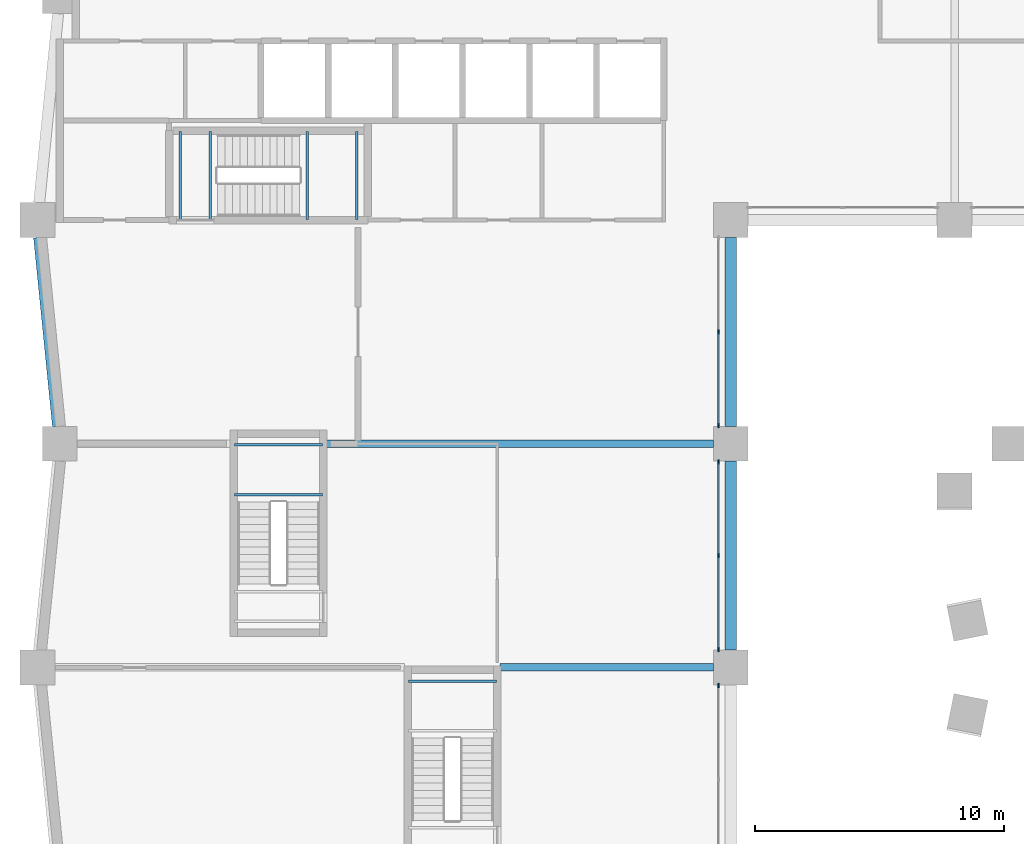
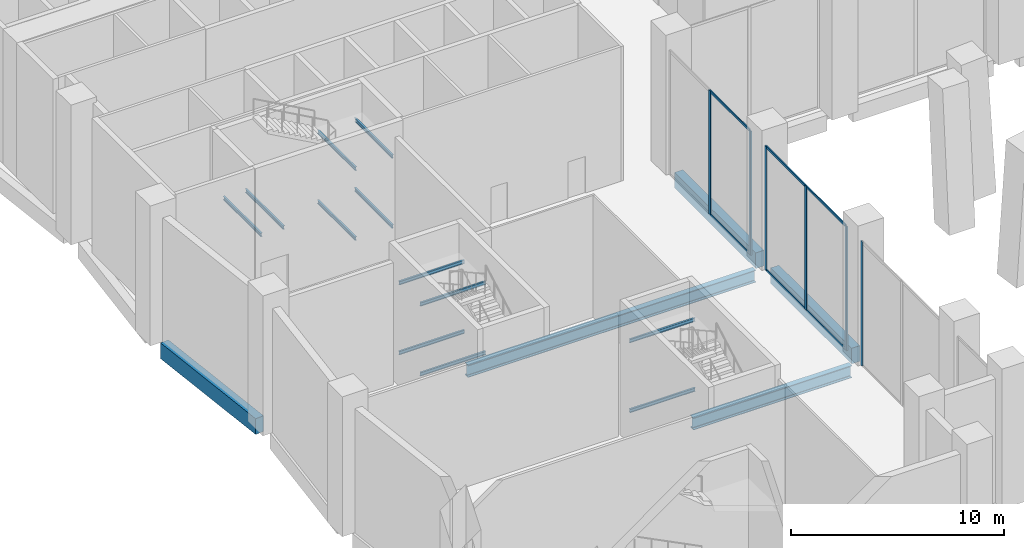
# One storey, part 3 of 19: 17 beams, 12 members, 3 elements without a shape of their own.
"""IFC4 building model written with IfcOpenShell, lengths in metres."""

from ifc_helpers import new_model, si_unit, direction, frame, origin, origin_2d, place, context, subcontext, project, spatial, rectangle, i_section, extrude, material, material_profile, profile_set, type_object, element, aggregate, save


model = new_model("IFC4")

# Units and contexts
model_context = context("Model", 3, precision=1e-05, world=origin(), true_north=direction((0.0, 1.0)))
body_context = subcontext(model_context, "Body", "Model", "MODEL_VIEW")
ifc_project = project(units=[si_unit("LENGTHUNIT", "METRE"), si_unit("AREAUNIT", "SQUARE_METRE"), si_unit("VOLUMEUNIT", "CUBIC_METRE"), si_unit("PLANEANGLEUNIT", "RADIAN"), si_unit("MASSUNIT", "GRAM", prefix="KILO")], contexts=[model_context])

# Site, building, storey
site_placement = place(None, origin())
site = spatial("IfcSite", under=ifc_project, at=site_placement, CompositionType="ELEMENT")
building_placement = place(site_placement, origin())
building = spatial("IfcBuilding", under=site, at=building_placement, Name="Brondeck Convention Tower", CompositionType="ELEMENT")
storey_placement = place(building_placement, frame((0.0, 0.0, 19.5)))
storey = spatial("IfcBuildingStorey", under=building, at=storey_placement, Name="L03", CompositionType="ELEMENT", Elevation=19.5)

# Curtain wall, member
ifc_material_1 = material(Name="Aluminium, bronze anodised", Category="aluminium")
curtain_wall_type = type_object("IfcCurtainWallType", Name="Podium hall curtain wall", PredefinedType="NOTDEFINED", material=ifc_material_1)
curtain_wall_1_placement = place(storey_placement, origin())
curtain_wall_1 = element("IfcCurtainWall", 1, at=curtain_wall_1_placement, inside=storey, type_object=curtain_wall_type, Name="ENV-CW2-L03-B-E-05", PredefinedType="NOTDEFINED")
ifc_material_profile_1 = material_profile(ifc_material_1, rectangle(XDim=0.06005859375, YDim=0.179931640625, at=origin_2d()), Name="CW2 mullion")
ifc_profile_set_1 = profile_set([ifc_material_profile_1], Name="Aluminium, bronze anodised")
member_type_1 = type_object("IfcMemberType", Name="CW2 mullion", PredefinedType="MULLION", material=ifc_profile_set_1)
member_1_placement = place(storey_placement, frame((26.5, 17.27001953125, 0.0), z_axis=(0.0, 0.0, 1.0), x_axis=(1.0, 0.0, 0.0)))
member_1 = element("IfcMember", 2, at=member_1_placement, type_object=member_type_1, Name="CW2 mullion 1", PredefinedType="MULLION", context=body_context, shape_type="SweptSolid", body=[
    extrude(rectangle(XDim=0.06005859375, YDim=0.179931640625, at=origin_2d()), origin(), (0.0, 0.0, 1.0), 7.10009765625),
])
aggregate(curtain_wall_1, [member_1])

# Curtain wall, members
curtain_wall_2_placement = place(storey_placement, origin())
curtain_wall_2 = element("IfcCurtainWall", 3, at=curtain_wall_2_placement, inside=storey, type_object=curtain_wall_type, Name="ENV-CW2-L03-B-E-03", PredefinedType="NOTDEFINED")
member_2_placement = place(storey_placement, frame((26.5, 26.27001953125, 0.0), z_axis=(0.0, 0.0, 1.0), x_axis=(1.0, 0.0, 0.0)))
member_2 = element("IfcMember", 4, at=member_2_placement, type_object=member_type_1, Name="CW2 mullion 1", PredefinedType="MULLION", context=body_context, shape_type="SweptSolid", body=[
    extrude(rectangle(XDim=0.06005859375, YDim=0.179931640625, at=origin_2d()), origin(), (0.0, 0.0, 1.0), 7.10009765625),
])
member_3_placement = place(storey_placement, frame((26.5, 22.5, 0.0), z_axis=(0.0, 0.0, 1.0), x_axis=(1.0, 0.0, 0.0)))
member_3 = element("IfcMember", 5, at=member_3_placement, type_object=member_type_1, Name="CW2 mullion 2", PredefinedType="MULLION", context=body_context, shape_type="SweptSolid", body=[
    extrude(rectangle(XDim=0.06005859375, YDim=0.179931640625, at=origin_2d()), origin(), (0.0, 0.0, 1.0), 7.10009765625),
])
member_4_placement = place(storey_placement, frame((26.5, 18.72998046875, 0.0), z_axis=(0.0, 0.0, 1.0), x_axis=(1.0, 0.0, 0.0)))
member_4 = element("IfcMember", 6, at=member_4_placement, type_object=member_type_1, Name="CW2 mullion 3", PredefinedType="MULLION", context=body_context, shape_type="SweptSolid", body=[
    extrude(rectangle(XDim=0.06005859375, YDim=0.179931640625, at=origin_2d()), origin(), (0.0, 0.0, 1.0), 7.10009765625),
])

curtain_wall_3_placement = place(storey_placement, origin())
curtain_wall_3 = element("IfcCurtainWall", 7, at=curtain_wall_3_placement, inside=storey, type_object=curtain_wall_type, Name="ENV-CW2-L03-B-E-01", PredefinedType="NOTDEFINED")
member_5_placement = place(storey_placement, frame((26.5, 31.5, 0.0), z_axis=(0.0, 0.0, 1.0), x_axis=(1.0, 0.0, 0.0)))
member_5 = element("IfcMember", 8, at=member_5_placement, type_object=member_type_1, Name="CW2 mullion 2", PredefinedType="MULLION", context=body_context, shape_type="SweptSolid", body=[
    extrude(rectangle(XDim=0.06005859375, YDim=0.179931640625, at=origin_2d()), origin(), (0.0, 0.0, 1.0), 7.10009765625),
])
member_6_placement = place(storey_placement, frame((26.5, 27.72998046875, 0.0), z_axis=(0.0, 0.0, 1.0), x_axis=(1.0, 0.0, 0.0)))
member_6 = element("IfcMember", 9, at=member_6_placement, type_object=member_type_1, Name="CW2 mullion 3", PredefinedType="MULLION", context=body_context, shape_type="SweptSolid", body=[
    extrude(rectangle(XDim=0.06005859375, YDim=0.179931640625, at=origin_2d()), origin(), (0.0, 0.0, 1.0), 7.10009765625),
])

# Member
ifc_material_profile_2 = material_profile(ifc_material_1, rectangle(XDim=0.06005859375, YDim=0.139892578125, at=origin_2d()), Name="CW2 transom")
ifc_profile_set_2 = profile_set([ifc_material_profile_2], Name="Aluminium, bronze anodised")
member_type_2 = type_object("IfcMemberType", Name="CW2 transom", PredefinedType="USERDEFINED", material=ifc_profile_set_2)
member_7_placement = place(storey_placement, frame((26.5, 26.239990234375, 0.030029296875), z_axis=(0.0, -1.0, 0.0), x_axis=(1.0, 0.0, 0.0)))
member_7 = element("IfcMember", 10, at=member_7_placement, type_object=member_type_2, Name="CW2 transom 1.1", ObjectType="TRANSOM", PredefinedType="USERDEFINED", context=body_context, shape_type="SweptSolid", body=[
    extrude(rectangle(XDim=0.06005859375, YDim=0.139892578125, at=origin_2d()), origin(), (0.0, 0.0, 1.0), 3.7099609375),
])

member_8_placement = place(storey_placement, frame((26.5, 26.239990234375, 7.070068359375), z_axis=(0.0, -1.0, 0.0), x_axis=(1.0, 0.0, 0.0)))
member_8 = element("IfcMember", 11, at=member_8_placement, type_object=member_type_2, Name="CW2 transom 1.2", ObjectType="TRANSOM", PredefinedType="USERDEFINED", context=body_context, shape_type="SweptSolid", body=[
    extrude(rectangle(XDim=0.06005859375, YDim=0.139892578125, at=origin_2d()), origin(), (0.0, 0.0, 1.0), 3.7099609375),
])

member_9_placement = place(storey_placement, frame((26.5, 22.469970703125, 0.030029296875), z_axis=(0.0, -1.0, 0.0), x_axis=(1.0, 0.0, 0.0)))
member_9 = element("IfcMember", 12, at=member_9_placement, type_object=member_type_2, Name="CW2 transom 2.1", ObjectType="TRANSOM", PredefinedType="USERDEFINED", context=body_context, shape_type="SweptSolid", body=[
    extrude(rectangle(XDim=0.06005859375, YDim=0.139892578125, at=origin_2d()), origin(), (0.0, 0.0, 1.0), 3.7099609375),
])

member_10_placement = place(storey_placement, frame((26.5, 22.469970703125, 7.070068359375), z_axis=(0.0, -1.0, 0.0), x_axis=(1.0, 0.0, 0.0)))
member_10 = element("IfcMember", 13, at=member_10_placement, type_object=member_type_2, Name="CW2 transom 2.2", ObjectType="TRANSOM", PredefinedType="USERDEFINED", context=body_context, shape_type="SweptSolid", body=[
    extrude(rectangle(XDim=0.06005859375, YDim=0.139892578125, at=origin_2d()), origin(), (0.0, 0.0, 1.0), 3.7099609375),
])

aggregate(curtain_wall_2, [member_2, member_3, member_4, member_7, member_8, member_9, member_10])

member_11_placement = place(storey_placement, frame((26.5, 31.469970703125, 0.030029296875), z_axis=(0.0, -1.0, 0.0), x_axis=(1.0, 0.0, 0.0)))
member_11 = element("IfcMember", 14, at=member_11_placement, type_object=member_type_2, Name="CW2 transom 2.1", ObjectType="TRANSOM", PredefinedType="USERDEFINED", context=body_context, shape_type="SweptSolid", body=[
    extrude(rectangle(XDim=0.06005859375, YDim=0.139892578125, at=origin_2d()), origin(), (0.0, 0.0, 1.0), 3.7099609375),
])

member_12_placement = place(storey_placement, frame((26.5, 31.469970703125, 7.070068359375), z_axis=(0.0, -1.0, 0.0), x_axis=(1.0, 0.0, 0.0)))
member_12 = element("IfcMember", 15, at=member_12_placement, type_object=member_type_2, Name="CW2 transom 2.2", ObjectType="TRANSOM", PredefinedType="USERDEFINED", context=body_context, shape_type="SweptSolid", body=[
    extrude(rectangle(XDim=0.06005859375, YDim=0.139892578125, at=origin_2d()), origin(), (0.0, 0.0, 1.0), 3.7099609375),
])

aggregate(curtain_wall_3, [member_5, member_6, member_11, member_12])

# Beams
ifc_material_2 = material(Name="Concrete C80/95", Category="concrete")
ifc_material_profile_3 = material_profile(ifc_material_2, rectangle(XDim=0.449951171875, YDim=0.89990234375, at=origin_2d()), Name="Edge beam 450x900 Concrete C80/95")
ifc_profile_set_3 = profile_set([ifc_material_profile_3], Name="Concrete C80/95")
beam_type_1 = type_object("IfcBeamType", Name="Edge beam 450x900 Concrete C80/95", PredefinedType="BEAM", material=ifc_profile_set_3)
for number, where, z_axis, x_axis, name in (
    (16, (27.0, 18.699951171875, -0.449951171875), (0.0, 1.0, 0.0), (-1.0, 0.0, 0.0), "STR-SP-L03-007"),
    (17, (27.0, 27.699951171875, -0.449951171875), (0.0, 1.0, 0.0), (-1.0, 0.0, 0.0), "STR-SP-L03-008"),
):
    element("IfcBeam", number, at=place(storey_placement, frame(where, z_axis=z_axis, x_axis=x_axis)), inside=storey, type_object=beam_type_1, Name=name, PredefinedType="BEAM", context=body_context, shape_type="SweptSolid", body=[
        extrude(rectangle(XDim=0.449951171875, YDim=0.89990234375, at=origin_2d()), origin(), (0.0, 0.0, 1.0), 7.60009765625),
    ])
beam_1_placement = place(storey_placement, frame((-0.830078125, 35.300048828125, -0.449951171875), z_axis=(0.099503719021, -0.99503719021, 0.0), x_axis=(0.99503719021, 0.099503719021, 0.0)))
element("IfcBeam", 18, at=beam_1_placement, inside=storey, type_object=beam_type_1, Name="STR-SP-L03-033", PredefinedType="BEAM", context=body_context, shape_type="SweptSolid", body=[
    extrude(rectangle(XDim=0.449951171875, YDim=0.89990234375, at=origin_2d()), origin(), (0.0, 0.0, 1.0), 7.637939453125),
])
ifc_material_3 = material(Name="Steel S355", Category="steel")
ifc_material_profile_4 = material_profile(ifc_material_3, i_section(OverallWidth=0.300048828125, OverallDepth=0.699951171875, WebThickness=0.01708984375, FlangeThickness=0.031982421875, FilletRadius=0.027099609375, at=origin_2d()), Name="HEB 700")
ifc_profile_set_4 = profile_set([ifc_material_profile_4], Name="Steel S355")
beam_type_2 = type_object("IfcBeamType", Name="Girder HEB 700", PredefinedType="BEAM", material=ifc_profile_set_4)
beam_2_placement = place(storey_placement, frame((17.719970703125, 18.0, -0.64990234375), z_axis=(1.0, 0.0, 0.0), x_axis=(0.0, 1.0, 0.0)))
element("IfcBeam", 19, at=beam_2_placement, inside=storey, type_object=beam_type_2, Name="STR-GR-L03-009", PredefinedType="BEAM", context=body_context, shape_type="SweptSolid", body=[
    extrude(i_section(OverallWidth=0.300048828125, OverallDepth=0.699951171875, WebThickness=0.01708984375, FlangeThickness=0.031982421875, FilletRadius=0.027099609375, at=origin_2d()), origin(), (0.0, 0.0, 1.0), 8.580078125),
])
beam_3_placement = place(storey_placement, frame((10.719970703125, 27.0, -0.64990234375), z_axis=(1.0, 0.0, 0.0), x_axis=(0.0, 1.0, 0.0)))
element("IfcBeam", 20, at=beam_3_placement, inside=storey, type_object=beam_type_2, Name="STR-GR-L03-011", PredefinedType="BEAM", context=body_context, shape_type="SweptSolid", body=[
    extrude(i_section(OverallWidth=0.300048828125, OverallDepth=0.699951171875, WebThickness=0.01708984375, FlangeThickness=0.031982421875, FilletRadius=0.027099609375, at=origin_2d()), origin(), (0.0, 0.0, 1.0), 15.580078125),
])
ifc_material_profile_5 = material_profile(ifc_material_3, i_section(OverallWidth=0.10009765625, OverallDepth=0.199951171875, WebThickness=0.005615234375, FlangeThickness=0.008544921875, FilletRadius=0.011962890625, at=origin_2d()), Name="IPE200")
ifc_profile_set_5 = profile_set([ifc_material_profile_5], Name="Steel S355")
beam_type_3 = type_object("IfcBeamType", Name="Landing ledger beam IPE 200", PredefinedType="BEAM", material=ifc_profile_set_5)
for number, where, z_axis, x_axis, name in (
    (21, (9.949951171875, 36.030029296875, 1.64990234375), (0.0, 1.0, 0.0), (-1.0, 0.0, 0.0), "L03 ST-1 landing beam"),
    (22, (11.949951171875, 36.030029296875, 1.64990234375), (0.0, 1.0, 0.0), (-1.0, 0.0, 0.0), "L03 ST-1 landing beam"),
    (23, (4.85009765625, 36.030029296875, 3.64990234375), (0.0, 1.0, 0.0), (-1.0, 0.0, 0.0), "L03 ST-1 landing beam"),
    (24, (6.050048828125, 36.030029296875, 3.64990234375), (0.0, 1.0, 0.0), (-1.0, 0.0, 0.0), "L03 ST-1 landing beam"),
    (25, (9.949951171875, 36.030029296875, 5.64990234375), (0.0, 1.0, 0.0), (-1.0, 0.0, 0.0), "L03 ST-1 landing beam"),
    (26, (11.949951171875, 36.030029296875, 5.64990234375), (0.0, 1.0, 0.0), (-1.0, 0.0, 0.0), "L03 ST-1 landing beam"),
    (27, (10.570068359375, 24.949951171875, 1.64990234375), (-1.0, 0.0, 0.0), (0.0, -1.0, 0.0), "L03 ST-BE landing beam"),
    (28, (10.570068359375, 26.949951171875, 1.64990234375), (-1.0, 0.0, 0.0), (0.0, -1.0, 0.0), "L03 ST-BE landing beam"),
    (29, (10.570068359375, 24.949951171875, 5.64990234375), (-1.0, 0.0, 0.0), (0.0, -1.0, 0.0), "L03 ST-BE landing beam"),
    (30, (10.570068359375, 26.949951171875, 5.64990234375), (-1.0, 0.0, 0.0), (0.0, -1.0, 0.0), "L03 ST-BE landing beam"),
    (31, (17.570068359375, 17.449951171875, 1.64990234375), (-1.0, 0.0, 0.0), (0.0, -1.0, 0.0), "L03 ST-BF landing beam"),
    (32, (17.570068359375, 17.449951171875, 5.64990234375), (-1.0, 0.0, 0.0), (0.0, -1.0, 0.0), "L03 ST-BF landing beam"),
):
    element("IfcBeam", number, at=place(storey_placement, frame(where, z_axis=z_axis, x_axis=x_axis)), inside=storey, type_object=beam_type_3, Name=name, PredefinedType="BEAM", context=body_context, shape_type="SweptSolid", body=[
        extrude(i_section(OverallWidth=0.10009765625, OverallDepth=0.199951171875, WebThickness=0.005615234375, FlangeThickness=0.008544921875, FilletRadius=0.011962890625, at=origin_2d()), origin(), (0.0, 0.0, 1.0), 3.5400390625),
    ])

save(model, "model.ifc")
